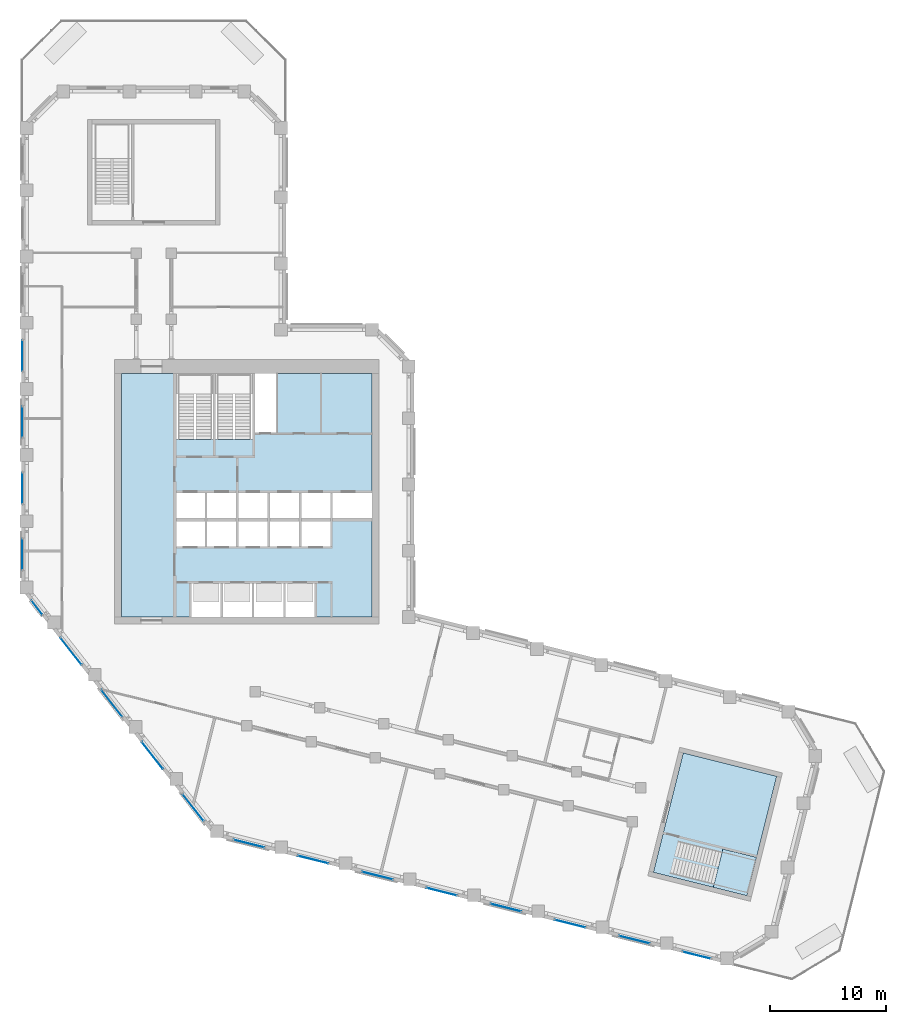
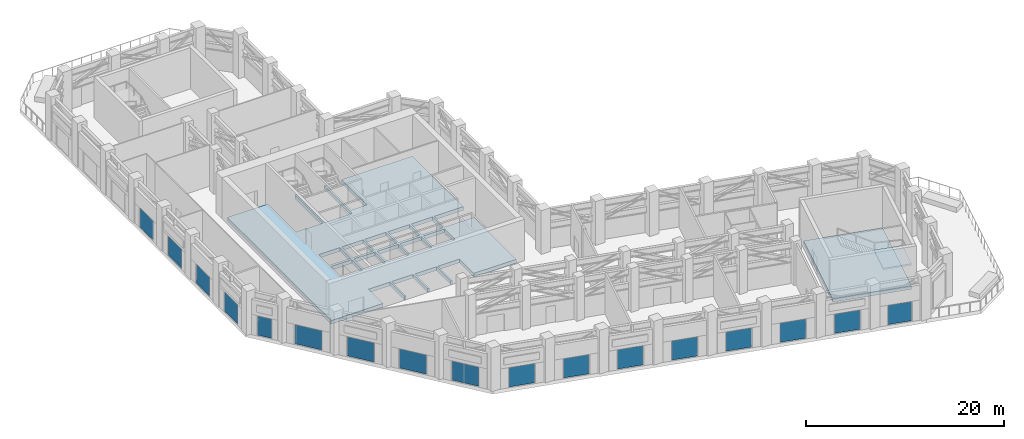
# One storey, part 9 of 21: 17 plates, 3 slabs, 18 elements without a shape of their own.
"""IFC4 building model written with IfcOpenShell, lengths in metres."""

from ifc_helpers import new_model, si_unit, direction, frame, origin, origin_2d, place, context, subcontext, project, spatial, polyline, rectangle, outline, extrude, material, layer, layer_set, type_object, element, aggregate, save


model = new_model("IFC4")

# Units and contexts
model_context = context("Model", 3, precision=1e-05, world=origin(), true_north=direction((0.0, 1.0)))
body_context = subcontext(model_context, "Body", "Model", "MODEL_VIEW")
ifc_project = project(units=[si_unit("LENGTHUNIT", "METRE"), si_unit("AREAUNIT", "SQUARE_METRE"), si_unit("VOLUMEUNIT", "CUBIC_METRE"), si_unit("PLANEANGLEUNIT", "RADIAN"), si_unit("MASSUNIT", "GRAM", prefix="KILO")], contexts=[model_context])

# Site, building, storey
site_placement = place(None, origin())
site = spatial("IfcSite", under=ifc_project, at=site_placement, CompositionType="ELEMENT")
building_placement = place(site_placement, origin())
building = spatial("IfcBuilding", under=site, at=building_placement, Name="Meshkara Civic Tower", CompositionType="ELEMENT")
storey_placement = place(building_placement, frame((0.0, 0.0, 284.39990234375)))
storey = spatial("IfcBuildingStorey", under=building, at=storey_placement, Name="L65", CompositionType="ELEMENT", Elevation=284.39990234375)

# Curtain wall, plate
ifc_material_1 = material(Name="Tinted double glazing", Category="glass")
curtain_wall_type = type_object("IfcCurtainWallType", Name="CW SKY LOBBY BAND", PredefinedType="NOTDEFINED", material=ifc_material_1)
curtain_wall_1_placement = place(storey_placement, origin())
curtain_wall_1 = element("IfcCurtainWall", 1, at=curtain_wall_1_placement, inside=storey, type_object=curtain_wall_type, Name="Curtain wall CW2", PredefinedType="NOTDEFINED")
ifc_material_2 = material(Name="Tinted double glazing", Category="glass")
ifc_layer_1 = layer(ifc_material_2, 0.028076171875)
ifc_layer_set_1 = layer_set([ifc_layer_1], Name="CW PANEL IGU 28")
plate_type = type_object("IfcPlateType", Name="CW PANEL IGU 28", PredefinedType="CURTAIN_PANEL", material=ifc_layer_set_1)
plate_1_placement = place(storey_placement, frame((0.080078125, 37.205078125, 0.06005859375), z_axis=(0.0, 0.0, 1.0), x_axis=(0.0, -1.0, 0.0)))
plate_1 = element("IfcPlate", 2, at=plate_1_placement, type_object=plate_type, Name="CW2 panel 1.1", PredefinedType="CURTAIN_PANEL", context=body_context, shape_type="SweptSolid", body=[
    extrude(rectangle(XDim=2.679931640625, YDim=0.028076171875, at=origin_2d()), origin(), (0.0, 0.0, 1.0), 2.3798828125),
])
aggregate(curtain_wall_1, [plate_1])

curtain_wall_2_placement = place(storey_placement, origin())
curtain_wall_2 = element("IfcCurtainWall", 3, at=curtain_wall_2_placement, inside=storey, type_object=curtain_wall_type, Name="Curtain wall CW2", PredefinedType="NOTDEFINED")
plate_2_placement = place(storey_placement, frame((0.080078125, 31.50439453125, 0.06005859375), z_axis=(0.0, 0.0, 1.0), x_axis=(0.0, -1.0, 0.0)))
plate_2 = element("IfcPlate", 4, at=plate_2_placement, type_object=plate_type, Name="CW2 panel 1.1", PredefinedType="CURTAIN_PANEL", context=body_context, shape_type="SweptSolid", body=[
    extrude(rectangle(XDim=2.678955078125, YDim=0.028076171875, at=origin_2d()), origin(), (0.0, 0.0, 1.0), 2.3798828125),
])
aggregate(curtain_wall_2, [plate_2])

curtain_wall_3_placement = place(storey_placement, origin())
curtain_wall_3 = element("IfcCurtainWall", 5, at=curtain_wall_3_placement, inside=storey, type_object=curtain_wall_type, Name="Curtain wall CW2", PredefinedType="NOTDEFINED")
plate_3_placement = place(storey_placement, frame((0.080078125, 25.804931640625, 0.06005859375), z_axis=(0.0, 0.0, 1.0), x_axis=(0.0, -1.0, 0.0)))
plate_3 = element("IfcPlate", 6, at=plate_3_placement, type_object=plate_type, Name="CW2 panel 1.1", PredefinedType="CURTAIN_PANEL", context=body_context, shape_type="SweptSolid", body=[
    extrude(rectangle(XDim=2.679931640625, YDim=0.028076171875, at=origin_2d()), origin(), (0.0, 0.0, 1.0), 2.3798828125),
])
aggregate(curtain_wall_3, [plate_3])

curtain_wall_4_placement = place(storey_placement, origin())
curtain_wall_4 = element("IfcCurtainWall", 7, at=curtain_wall_4_placement, inside=storey, type_object=curtain_wall_type, Name="Curtain wall CW2", PredefinedType="NOTDEFINED")
plate_4_placement = place(storey_placement, frame((0.080078125, 20.10498046875, 0.06005859375), z_axis=(0.0, 0.0, 1.0), x_axis=(0.0, -1.0, 0.0)))
plate_4 = element("IfcPlate", 8, at=plate_4_placement, type_object=plate_type, Name="CW2 panel 1.1", PredefinedType="CURTAIN_PANEL", context=body_context, shape_type="SweptSolid", body=[
    extrude(rectangle(XDim=2.679931640625, YDim=0.028076171875, at=origin_2d()), origin(), (0.0, 0.0, 1.0), 2.3798828125),
])
aggregate(curtain_wall_4, [plate_4])

curtain_wall_5_placement = place(storey_placement, origin())
curtain_wall_5 = element("IfcCurtainWall", 9, at=curtain_wall_5_placement, inside=storey, type_object=curtain_wall_type, Name="Curtain wall CW2", PredefinedType="NOTDEFINED")
plate_5_placement = place(storey_placement, frame((1.325927734375, 15.532470703125, 0.06005859375), z_axis=(0.0, 0.0, 1.0), x_axis=(0.615725559237, -0.787960681571, 0.0)))
plate_5 = element("IfcPlate", 10, at=plate_5_placement, type_object=plate_type, Name="CW2 panel 1.1", PredefinedType="CURTAIN_PANEL", context=body_context, shape_type="SweptSolid", body=[
    extrude(rectangle(XDim=1.54638671875, YDim=0.028076171875, at=origin_2d()), origin(), (0.0, 0.0, 1.0), 2.3798828125),
])
aggregate(curtain_wall_5, [plate_5])

curtain_wall_6_placement = place(storey_placement, origin())
curtain_wall_6 = element("IfcCurtainWall", 11, at=curtain_wall_6_placement, inside=storey, type_object=curtain_wall_type, Name="Curtain wall CW2", PredefinedType="NOTDEFINED")
plate_6_placement = place(storey_placement, frame((4.262939453125, 11.77392578125, 0.06005859375), z_axis=(0.0, 0.0, 1.0), x_axis=(0.615656711294, -0.788014475653, 0.0)))
plate_6 = element("IfcPlate", 12, at=plate_6_placement, type_object=plate_type, Name="CW2 panel 1.1", PredefinedType="CURTAIN_PANEL", context=body_context, shape_type="SweptSolid", body=[
    extrude(rectangle(XDim=2.943359375, YDim=0.028076171875, at=origin_2d()), origin(), (0.0, 0.0, 1.0), 2.3798828125),
])
aggregate(curtain_wall_6, [plate_6])

curtain_wall_7_placement = place(storey_placement, origin())
curtain_wall_7 = element("IfcCurtainWall", 13, at=curtain_wall_7_placement, inside=storey, type_object=curtain_wall_type, Name="Curtain wall CW2", PredefinedType="NOTDEFINED")
plate_7_placement = place(storey_placement, frame((7.77294921875, 7.281005859375, 0.06005859375), z_axis=(0.0, 0.0, 1.0), x_axis=(0.615656711294, -0.788014475653, 0.0)))
plate_7 = element("IfcPlate", 14, at=plate_7_placement, type_object=plate_type, Name="CW2 panel 1.1", PredefinedType="CURTAIN_PANEL", context=body_context, shape_type="SweptSolid", body=[
    extrude(rectangle(XDim=2.943359375, YDim=0.028076171875, at=origin_2d()), origin(), (0.0, 0.0, 1.0), 2.3798828125),
])
aggregate(curtain_wall_7, [plate_7])

curtain_wall_8_placement = place(storey_placement, origin())
curtain_wall_8 = element("IfcCurtainWall", 15, at=curtain_wall_8_placement, inside=storey, type_object=curtain_wall_type, Name="Curtain wall CW2", PredefinedType="NOTDEFINED")
plate_8_placement = place(storey_placement, frame((11.281982421875, 2.7900390625, 0.06005859375), z_axis=(0.0, 0.0, 1.0), x_axis=(0.615656711294, -0.788014475653, 0.0)))
plate_8 = element("IfcPlate", 16, at=plate_8_placement, type_object=plate_type, Name="CW2 panel 1.1", PredefinedType="CURTAIN_PANEL", context=body_context, shape_type="SweptSolid", body=[
    extrude(rectangle(XDim=2.943359375, YDim=0.028076171875, at=origin_2d()), origin(), (0.0, 0.0, 1.0), 2.3798828125),
])
aggregate(curtain_wall_8, [plate_8])

curtain_wall_9_placement = place(storey_placement, origin())
curtain_wall_9 = element("IfcCurtainWall", 17, at=curtain_wall_9_placement, inside=storey, type_object=curtain_wall_type, Name="Curtain wall CW2", PredefinedType="NOTDEFINED")
plate_9_placement = place(storey_placement, frame((14.791015625, -1.701416015625, 0.06005859375), z_axis=(0.0, 0.0, 1.0), x_axis=(0.615498370766, -0.788138157675, 0.0)))
plate_9 = element("IfcPlate", 18, at=plate_9_placement, type_object=plate_type, Name="CW2 panel 1.1", PredefinedType="CURTAIN_PANEL", context=body_context, shape_type="SweptSolid", body=[
    extrude(rectangle(XDim=2.944091796875, YDim=0.028076171875, at=origin_2d()), origin(), (0.0, 0.0, 1.0), 2.3798828125),
])
aggregate(curtain_wall_9, [plate_9])

curtain_wall_10_placement = place(storey_placement, origin())
curtain_wall_10 = element("IfcCurtainWall", 19, at=curtain_wall_10_placement, inside=storey, type_object=curtain_wall_type, Name="Curtain wall CW2", PredefinedType="NOTDEFINED")
plate_10_placement = place(storey_placement, frame((19.599609375, -4.803955078125, 0.06005859375), z_axis=(0.0, 0.0, 1.0), x_axis=(0.970288404803, -0.241951258529, 0.0)))
plate_10 = element("IfcPlate", 20, at=plate_10_placement, type_object=plate_type, Name="CW2 panel 1.1", PredefinedType="CURTAIN_PANEL", context=body_context, shape_type="SweptSolid", body=[
    extrude(rectangle(XDim=2.69873046875, YDim=0.028076171875, at=origin_2d()), origin(), (0.0, 0.0, 1.0), 2.3798828125),
])
aggregate(curtain_wall_10, [plate_10])

curtain_wall_11_placement = place(storey_placement, origin())
curtain_wall_11 = element("IfcCurtainWall", 21, at=curtain_wall_11_placement, inside=storey, type_object=curtain_wall_type, Name="Curtain wall CW2", PredefinedType="NOTDEFINED")
plate_11_placement = place(storey_placement, frame((25.1298828125, -6.18310546875, 0.06005859375), z_axis=(0.0, 0.0, 1.0), x_axis=(0.970267625854, -0.242034572364, 0.0)))
plate_11 = element("IfcPlate", 22, at=plate_11_placement, type_object=plate_type, Name="CW2 panel 1.1", PredefinedType="CURTAIN_PANEL", context=body_context, shape_type="SweptSolid", body=[
    extrude(rectangle(XDim=2.69775390625, YDim=0.028076171875, at=origin_2d()), origin(), (0.0, 0.0, 1.0), 2.3798828125),
])
aggregate(curtain_wall_11, [plate_11])

curtain_wall_12_placement = place(storey_placement, origin())
curtain_wall_12 = element("IfcCurtainWall", 23, at=curtain_wall_12_placement, inside=storey, type_object=curtain_wall_type, Name="Curtain wall CW2", PredefinedType="NOTDEFINED")
plate_12_placement = place(storey_placement, frame((30.660400390625, -7.56201171875, 0.06005859375), z_axis=(0.0, 0.0, 1.0), x_axis=(0.970288404803, -0.241951258529, 0.0)))
plate_12 = element("IfcPlate", 24, at=plate_12_placement, type_object=plate_type, Name="CW2 panel 1.1", PredefinedType="CURTAIN_PANEL", context=body_context, shape_type="SweptSolid", body=[
    extrude(rectangle(XDim=2.69873046875, YDim=0.028076171875, at=origin_2d()), origin(), (0.0, 0.0, 1.0), 2.3798828125),
])
aggregate(curtain_wall_12, [plate_12])

curtain_wall_13_placement = place(storey_placement, origin())
curtain_wall_13 = element("IfcCurtainWall", 25, at=curtain_wall_13_placement, inside=storey, type_object=curtain_wall_type, Name="Curtain wall CW2", PredefinedType="NOTDEFINED")
plate_13_placement = place(storey_placement, frame((36.19140625, -8.94091796875, 0.06005859375), z_axis=(0.0, 0.0, 1.0), x_axis=(0.970288404803, -0.241951258529, 0.0)))
plate_13 = element("IfcPlate", 26, at=plate_13_placement, type_object=plate_type, Name="CW2 panel 1.1", PredefinedType="CURTAIN_PANEL", context=body_context, shape_type="SweptSolid", body=[
    extrude(rectangle(XDim=2.69873046875, YDim=0.028076171875, at=origin_2d()), origin(), (0.0, 0.0, 1.0), 2.3798828125),
])
aggregate(curtain_wall_13, [plate_13])

curtain_wall_14_placement = place(storey_placement, origin())
curtain_wall_14 = element("IfcCurtainWall", 27, at=curtain_wall_14_placement, inside=storey, type_object=curtain_wall_type, Name="Curtain wall CW2", PredefinedType="NOTDEFINED")
plate_14_placement = place(storey_placement, frame((41.721923828125, -10.320068359375, 0.06005859375), z_axis=(0.0, 0.0, 1.0), x_axis=(0.970267625854, -0.242034572364, 0.0)))
plate_14 = element("IfcPlate", 28, at=plate_14_placement, type_object=plate_type, Name="CW2 panel 1.1", PredefinedType="CURTAIN_PANEL", context=body_context, shape_type="SweptSolid", body=[
    extrude(rectangle(XDim=2.69775390625, YDim=0.028076171875, at=origin_2d()), origin(), (0.0, 0.0, 1.0), 2.3798828125),
])
aggregate(curtain_wall_14, [plate_14])

curtain_wall_15_placement = place(storey_placement, origin())
curtain_wall_15 = element("IfcCurtainWall", 29, at=curtain_wall_15_placement, inside=storey, type_object=curtain_wall_type, Name="Curtain wall CW2", PredefinedType="NOTDEFINED")
plate_15_placement = place(storey_placement, frame((47.25244140625, -11.698974609375, 0.06005859375), z_axis=(0.0, 0.0, 1.0), x_axis=(0.970288404803, -0.241951258529, 0.0)))
plate_15 = element("IfcPlate", 30, at=plate_15_placement, type_object=plate_type, Name="CW2 panel 1.1", PredefinedType="CURTAIN_PANEL", context=body_context, shape_type="SweptSolid", body=[
    extrude(rectangle(XDim=2.69873046875, YDim=0.028076171875, at=origin_2d()), origin(), (0.0, 0.0, 1.0), 2.3798828125),
])
aggregate(curtain_wall_15, [plate_15])

curtain_wall_16_placement = place(storey_placement, origin())
curtain_wall_16 = element("IfcCurtainWall", 31, at=curtain_wall_16_placement, inside=storey, type_object=curtain_wall_type, Name="Curtain wall CW2", PredefinedType="NOTDEFINED")
plate_16_placement = place(storey_placement, frame((52.783447265625, -13.077880859375, 0.06005859375), z_axis=(0.0, 0.0, 1.0), x_axis=(0.970288404803, -0.241951258529, 0.0)))
plate_16 = element("IfcPlate", 32, at=plate_16_placement, type_object=plate_type, Name="CW2 panel 1.1", PredefinedType="CURTAIN_PANEL", context=body_context, shape_type="SweptSolid", body=[
    extrude(rectangle(XDim=2.69873046875, YDim=0.028076171875, at=origin_2d()), origin(), (0.0, 0.0, 1.0), 2.3798828125),
])
aggregate(curtain_wall_16, [plate_16])

curtain_wall_17_placement = place(storey_placement, origin())
curtain_wall_17 = element("IfcCurtainWall", 33, at=curtain_wall_17_placement, inside=storey, type_object=curtain_wall_type, Name="Curtain wall CW2", PredefinedType="NOTDEFINED")
plate_17_placement = place(storey_placement, frame((58.14892578125, -14.416015625, 0.06005859375), z_axis=(0.0, 0.0, 1.0), x_axis=(0.970322288897, -0.241815333817, 0.0)))
plate_17 = element("IfcPlate", 34, at=plate_17_placement, type_object=plate_type, Name="CW2 panel 1.1", PredefinedType="CURTAIN_PANEL", context=body_context, shape_type="SweptSolid", body=[
    extrude(rectangle(XDim=2.49365234375, YDim=0.028076171875, at=origin_2d()), origin(), (0.0, 0.0, 1.0), 2.3798828125),
])
aggregate(curtain_wall_17, [plate_17])

# Slabs
ifc_material_3 = material(Name="Concrete C40/50", Category="concrete")
ifc_layer_2 = layer(ifc_material_3, 0.449951171875)
ifc_layer_set_2 = layer_set([ifc_layer_2], Name="Core floor slab 450 C40/50")
slab_type_1 = type_object("IfcSlabType", Name="Core floor slab 450 C40/50", PredefinedType="FLOOR", material=ifc_layer_set_2)
slab_1_placement = place(storey_placement, frame((0.0, 0.0, -0.449951171875)))
element("IfcSlab", 35, at=slab_1_placement, inside=storey, type_object=slab_type_1, Name="Core floor K", PredefinedType="FLOOR", context=body_context, shape_type="SweptSolid", body=[
    extrude(outline(polyline([(8.60009765625, 35.699951171875), (13.35009765625, 35.699951171875), (13.35009765625, 30.00146484375), (16.5, 30.00146484375), (16.5, 35.699951171875), (16.699951171875, 35.699951171875), (16.699951171875, 30.00146484375), (19.89990234375, 30.00146484375), (19.89990234375, 35.699951171875), (20.10009765625, 35.699951171875), (20.10009765625, 30.574951171875), (21.925048828125, 30.574951171875), (21.925048828125, 35.699951171875), (30.199951171875, 35.699951171875), (30.199951171875, 25.39990234375), (26.800048828125, 25.39990234375), (26.800048828125, 23.25), (30.199951171875, 23.25), (30.199951171875, 14.699951171875), (25.25, 14.699951171875), (25.25, 17.60009765625), (22.75, 17.60009765625), (22.75, 14.699951171875), (22.550048828125, 14.699951171875), (22.550048828125, 17.60009765625), (20.050048828125, 17.60009765625), (20.050048828125, 14.699951171875), (19.85009765625, 14.699951171875), (19.85009765625, 17.60009765625), (17.35009765625, 17.60009765625), (17.35009765625, 14.699951171875), (17.14990234375, 14.699951171875), (17.14990234375, 17.60009765625), (14.64990234375, 17.60009765625), (14.64990234375, 14.699951171875), (8.60009765625, 14.699951171875), (8.60009765625, 35.699951171875)]), holes=[polyline([(15.800048828125, 20.800048828125), (15.800048828125, 22.949951171875), (13.35009765625, 22.949951171875), (13.35009765625, 20.800048828125), (15.800048828125, 20.800048828125)]), polyline([(16.0, 22.949951171875), (16.0, 20.800048828125), (18.5, 20.800048828125), (18.5, 22.949951171875), (16.0, 22.949951171875)]), polyline([(18.699951171875, 22.949951171875), (18.699951171875, 20.800048828125), (21.199951171875, 20.800048828125), (21.199951171875, 22.949951171875), (18.699951171875, 22.949951171875)]), polyline([(15.800048828125, 23.25), (15.800048828125, 25.39990234375), (13.35009765625, 25.39990234375), (13.35009765625, 23.25), (15.800048828125, 23.25)]), polyline([(16.0, 25.39990234375), (16.0, 23.25), (18.5, 23.25), (18.5, 25.39990234375), (16.0, 25.39990234375)]), polyline([(21.39990234375, 20.800048828125), (23.89990234375, 20.800048828125), (23.89990234375, 22.949951171875), (21.39990234375, 22.949951171875), (21.39990234375, 20.800048828125)]), polyline([(24.10009765625, 20.800048828125), (26.60009765625, 20.800048828125), (26.60009765625, 22.949951171875), (24.10009765625, 22.949951171875), (24.10009765625, 20.800048828125)]), polyline([(18.699951171875, 25.39990234375), (18.699951171875, 23.25), (21.199951171875, 23.25), (21.199951171875, 25.39990234375), (18.699951171875, 25.39990234375)]), polyline([(21.39990234375, 23.25), (23.89990234375, 23.25), (23.89990234375, 25.39990234375), (21.39990234375, 25.39990234375), (21.39990234375, 23.25)]), polyline([(26.60009765625, 23.25), (26.60009765625, 25.39990234375), (24.10009765625, 25.39990234375), (24.10009765625, 23.25), (26.60009765625, 23.25)])]), origin(), (0.0, 0.0, 1.0), 0.449951171875),
])
slab_2_placement = place(storey_placement, frame((0.0, 0.0, -0.449951171875)))
element("IfcSlab", 36, at=slab_2_placement, inside=storey, type_object=slab_type_1, Name="Core floor EB", PredefinedType="FLOOR", context=body_context, shape_type="SweptSolid", body=[
    extrude(outline(polyline([(54.4248046875, -7.282958984375), (56.989013671875, 3.002197265625), (65.04248046875, 0.994384765625), (62.478271484375, -9.290771484375), (54.4248046875, -7.282958984375)])), origin(), (0.0, 0.0, 1.0), 0.449951171875),
])

# Stair, slab
ifc_material_4 = material(Name="Precast concrete C40/50", Category="concrete")
stair_type = type_object("IfcStairType", Name="Exit stair half-turn 30 risers precast", PredefinedType="HALF_TURN_STAIR", material=ifc_material_4)
stair_placement = place(storey_placement, origin())
stair = element("IfcStair", 37, at=stair_placement, inside=storey, type_object=stair_type, Name="L65 exit stair B from L65", PredefinedType="HALF_TURN_STAIR")
ifc_material_5 = material(Name="Precast concrete C40/50", Category="concrete")
ifc_layer_3 = layer(ifc_material_5, 0.199951171875)
ifc_layer_set_3 = layer_set([ifc_layer_3], Name="Exit stair landing 200")
slab_type_2 = type_object("IfcSlabType", Name="Exit stair landing 200", PredefinedType="LANDING", material=ifc_layer_set_3)
slab_3_placement = place(storey_placement, frame((0.0, 0.0, 2.5)))
slab_3 = element("IfcSlab", 38, at=slab_3_placement, type_object=slab_type_2, Name="ESB5 landing 1", PredefinedType="LANDING", context=body_context, shape_type="SweptSolid", body=[
    extrude(outline(polyline([(59.584716796875, -8.5703125), (62.477783203125, -9.2919921875), (63.301025390625, -5.991943359375), (60.407958984375, -5.270263671875), (59.584716796875, -8.5703125)])), origin(), (0.0, 0.0, 1.0), 0.2001953125),
])
aggregate(stair, [slab_3])

save(model, "model.ifc")
